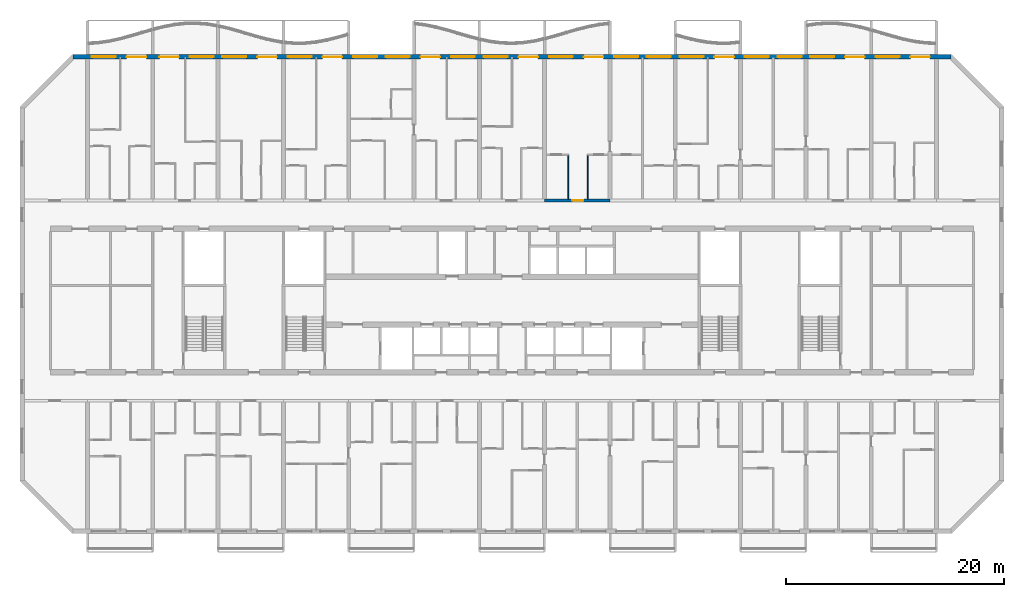
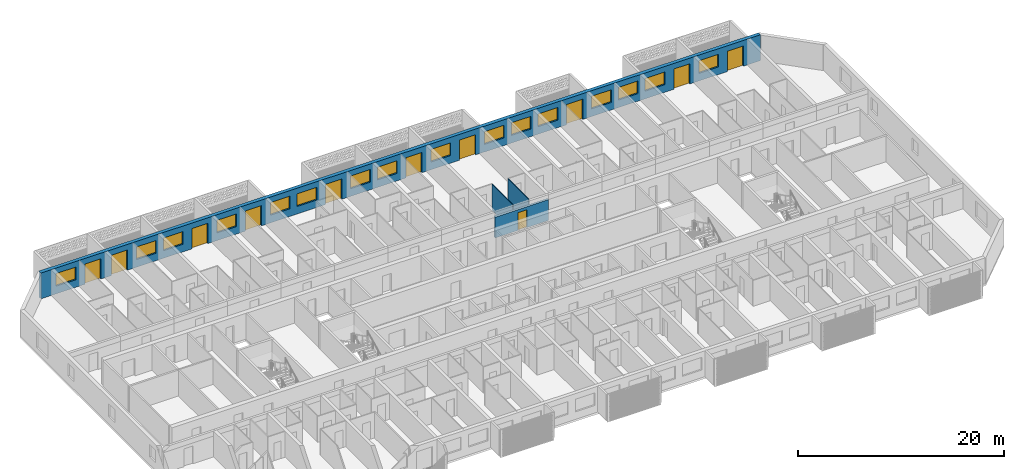
# One storey, part 12 of 27: 16 windows, 11 doors, 4 walls, 27 openings.
"""IFC4 building model written with IfcOpenShell, lengths in metres."""

from ifc_helpers import new_model, si_unit, direction, frame, frame_2d, origin, place, context, subcontext, project, spatial, rectangle, extrude, material, layer, layer_set, type_object, element, fill, save


model = new_model("IFC4")

# Units and contexts
model_context = context("Model", 3, precision=1e-05, world=origin(), true_north=direction((0.0, 1.0)))
body_context = subcontext(model_context, "Body", "Model", "MODEL_VIEW")
ifc_project = project(units=[si_unit("LENGTHUNIT", "METRE"), si_unit("AREAUNIT", "SQUARE_METRE"), si_unit("VOLUMEUNIT", "CUBIC_METRE"), si_unit("PLANEANGLEUNIT", "RADIAN"), si_unit("MASSUNIT", "GRAM", prefix="KILO")], contexts=[model_context])

# Site, building, storey
site_placement = place(None, origin())
site = spatial("IfcSite", under=ifc_project, at=site_placement, CompositionType="ELEMENT")
building_placement = place(site_placement, origin())
building = spatial("IfcBuilding", under=site, at=building_placement, Name="Poui Terraces", CompositionType="ELEMENT")
storey_placement = place(building_placement, frame((0.0, 0.0, 76.199951171875)))
storey = spatial("IfcBuildingStorey", under=building, at=storey_placement, Name="L20", CompositionType="ELEMENT", Elevation=76.199951171875)

# Wall, opening, door
ifc_material_1 = material(Name="Concrete 65 MPa", Category="concrete")
ifc_layer_1 = layer(ifc_material_1, 0.25)
ifc_layer_set_1 = layer_set([ifc_layer_1], Name="Concrete 65 MPa")
wall_type_1 = type_object("IfcWallType", Name="CORRIDOR WALL 250 65MPa", PredefinedType="SHEAR", material=ifc_layer_set_1)
wall_1_placement = place(storey_placement, frame((54.0, 30.39990234375, 0.0), z_axis=(0.0, 0.0, 1.0), x_axis=(1.0, 0.0, 0.0)))
wall_1 = element("IfcWall", 1, at=wall_1_placement, inside=storey, type_object=wall_type_1, Name="CORRIDOR WALL LINE E BAY 9", PredefinedType="SHEAR", context=body_context, shape_type="SweptSolid", body=[
    extrude(rectangle(XDim=6.0, YDim=0.25, at=frame_2d((3.0, 0.0))), origin(), (0.0, 0.0, 1.0), 2.4599609375),
])
opening_1_placement = place(wall_1_placement, frame((2.550048828125, 0.0, 0.0)))
opening_1 = element("IfcOpeningElement", 2, at=opening_1_placement, cuts=wall_1, Name="Opening FD30S", PredefinedType="OPENING", context=body_context, shape_type="SweptSolid", body=[
    extrude(rectangle(XDim=1.0, YDim=2.10009765625, at=frame_2d((0.5, 1.050048828125))), frame((0.0, 0.135009765625, 0.0), z_axis=(0.0, -1.0, 0.0), x_axis=(1.0, 0.0, 0.0)), (0.0, 0.0, 1.0), 0.27001953125),
])
ifc_material_2 = material(Name="Steel fire door", Category="steel")
door_type_1 = type_object("IfcDoorType", Name="FLAT ENTRANCE DOOR 1000 X 2100", OperationType="NOTDEFINED", PredefinedType="DOOR", material=ifc_material_2)
door_1_placement = place(opening_1_placement, origin())
door_1 = element("IfcDoor", 3, at=door_1_placement, inside=storey, type_object=door_type_1, Name="FLAT ENTRANCE DOOR 063", OperationType="SINGLE_SWING_RIGHT", OverallHeight=2.10009765625, OverallWidth=1.0, PredefinedType="DOOR", context=body_context, shape_type="SweptSolid", body=[
    extrude(rectangle(XDim=1.0, YDim=2.10009765625, at=frame_2d((0.5, 1.050048828125))), frame((0.0, 0.02490234375, 0.0), z_axis=(0.0, -1.0, 0.0), x_axis=(1.0, 0.0, 0.0)), (0.0, 0.0, 1.0), 0.050048828125),
])
fill(opening_1, door_1)

# Wall, openings, doors, windows
ifc_material_3 = material(Name="Precast concrete 40 MPa", Category="concrete")
ifc_layer_2 = layer(ifc_material_3, 0.39990234375)
ifc_layer_set_2 = layer_set([ifc_layer_2], Name="Precast concrete 40 MPa")
wall_type_2 = type_object("IfcWallType", Name="EXTERNAL WALL 400", PredefinedType="STANDARD", material=ifc_layer_set_2)
wall_2_placement = place(storey_placement, frame((91.317138671875, 43.60009765625, 0.0), z_axis=(0.0, 0.0, 1.0), x_axis=(-1.0, 0.0, 0.0)))
wall_2 = element("IfcWall", 4, at=wall_2_placement, inside=storey, type_object=wall_type_2, Name="EXTERNAL WALL N", PredefinedType="STANDARD", context=body_context, shape_type="SweptSolid", body=[
    extrude(rectangle(XDim=80.63427734375, YDim=0.39990234375, at=frame_2d((40.317138671875, 0.0))), origin(), (0.0, 0.0, 1.0), 3.06005859375),
])
opening_2_placement = place(wall_2_placement, frame((76.71728515625, 0.0, 0.89990234375)))
opening_2 = element("IfcOpeningElement", 5, at=opening_2_placement, cuts=wall_2, Name="Opening W1", PredefinedType="OPENING", context=body_context, shape_type="SweptSolid", body=[
    extrude(rectangle(XDim=2.199951171875, YDim=1.5, at=frame_2d((1.10009765625, 0.75))), frame((0.0, 0.2099609375, 0.0), z_axis=(0.0, -1.0, 0.0), x_axis=(1.0, 0.0, 0.0)), (0.0, 0.0, 1.0), 0.419921875),
])
opening_3_placement = place(wall_2_placement, frame((73.917236328125, 0.0, 0.0)))
opening_3 = element("IfcOpeningElement", 6, at=opening_3_placement, cuts=wall_2, Name="Opening BD1", PredefinedType="OPENING", context=body_context, shape_type="SweptSolid", body=[
    extrude(rectangle(XDim=1.800048828125, YDim=2.39990234375, at=frame_2d((0.89990234375, 1.199951171875))), frame((0.0, 0.2099609375, 0.0), z_axis=(0.0, -1.0, 0.0), x_axis=(1.0, 0.0, 0.0)), (0.0, 0.0, 1.0), 0.419921875),
])
opening_4_placement = place(wall_2_placement, frame((70.917236328125, 0.0, 0.0)))
opening_4 = element("IfcOpeningElement", 7, at=opening_4_placement, cuts=wall_2, Name="Opening BD1", PredefinedType="OPENING", context=body_context, shape_type="SweptSolid", body=[
    extrude(rectangle(XDim=1.800048828125, YDim=2.39990234375, at=frame_2d((0.89990234375, 1.199951171875))), frame((0.0, 0.2099609375, 0.0), z_axis=(0.0, -1.0, 0.0), x_axis=(1.0, 0.0, 0.0)), (0.0, 0.0, 1.0), 0.419921875),
])
opening_5_placement = place(wall_2_placement, frame((67.71728515625, 0.0, 0.89990234375)))
opening_5 = element("IfcOpeningElement", 8, at=opening_5_placement, cuts=wall_2, Name="Opening W1", PredefinedType="OPENING", context=body_context, shape_type="SweptSolid", body=[
    extrude(rectangle(XDim=2.199951171875, YDim=1.5, at=frame_2d((1.10009765625, 0.75))), frame((0.0, 0.2099609375, 0.0), z_axis=(0.0, -1.0, 0.0), x_axis=(1.0, 0.0, 0.0)), (0.0, 0.0, 1.0), 0.419921875),
])
opening_6_placement = place(wall_2_placement, frame((64.71728515625, 0.0, 0.89990234375)))
opening_6 = element("IfcOpeningElement", 9, at=opening_6_placement, cuts=wall_2, Name="Opening W1", PredefinedType="OPENING", context=body_context, shape_type="SweptSolid", body=[
    extrude(rectangle(XDim=2.199951171875, YDim=1.5, at=frame_2d((1.10009765625, 0.75))), frame((0.0, 0.2099609375, 0.0), z_axis=(0.0, -1.0, 0.0), x_axis=(1.0, 0.0, 0.0)), (0.0, 0.0, 1.0), 0.419921875),
])
opening_7_placement = place(wall_2_placement, frame((61.917236328125, 0.0, 0.0)))
opening_7 = element("IfcOpeningElement", 10, at=opening_7_placement, cuts=wall_2, Name="Opening BD1", PredefinedType="OPENING", context=body_context, shape_type="SweptSolid", body=[
    extrude(rectangle(XDim=1.800048828125, YDim=2.39990234375, at=frame_2d((0.89990234375, 1.199951171875))), frame((0.0, 0.2099609375, 0.0), z_axis=(0.0, -1.0, 0.0), x_axis=(1.0, 0.0, 0.0)), (0.0, 0.0, 1.0), 0.419921875),
])
opening_8_placement = place(wall_2_placement, frame((58.71728515625, 0.0, 0.89990234375)))
opening_8 = element("IfcOpeningElement", 11, at=opening_8_placement, cuts=wall_2, Name="Opening W1", PredefinedType="OPENING", context=body_context, shape_type="SweptSolid", body=[
    extrude(rectangle(XDim=2.199951171875, YDim=1.5, at=frame_2d((1.10009765625, 0.75))), frame((0.0, 0.2099609375, 0.0), z_axis=(0.0, -1.0, 0.0), x_axis=(1.0, 0.0, 0.0)), (0.0, 0.0, 1.0), 0.419921875),
])
opening_9_placement = place(wall_2_placement, frame((55.917236328125, 0.0, 0.0)))
opening_9 = element("IfcOpeningElement", 12, at=opening_9_placement, cuts=wall_2, Name="Opening BD1", PredefinedType="OPENING", context=body_context, shape_type="SweptSolid", body=[
    extrude(rectangle(XDim=1.800048828125, YDim=2.39990234375, at=frame_2d((0.89990234375, 1.199951171875))), frame((0.0, 0.2099609375, 0.0), z_axis=(0.0, -1.0, 0.0), x_axis=(1.0, 0.0, 0.0)), (0.0, 0.0, 1.0), 0.419921875),
])
opening_10_placement = place(wall_2_placement, frame((52.71728515625, 0.0, 0.89990234375)))
opening_10 = element("IfcOpeningElement", 13, at=opening_10_placement, cuts=wall_2, Name="Opening W1", PredefinedType="OPENING", context=body_context, shape_type="SweptSolid", body=[
    extrude(rectangle(XDim=2.199951171875, YDim=1.5, at=frame_2d((1.10009765625, 0.75))), frame((0.0, 0.2099609375, 0.0), z_axis=(0.0, -1.0, 0.0), x_axis=(1.0, 0.0, 0.0)), (0.0, 0.0, 1.0), 0.419921875),
])
opening_11_placement = place(wall_2_placement, frame((49.71728515625, 0.0, 0.89990234375)))
opening_11 = element("IfcOpeningElement", 14, at=opening_11_placement, cuts=wall_2, Name="Opening W1", PredefinedType="OPENING", context=body_context, shape_type="SweptSolid", body=[
    extrude(rectangle(XDim=2.199951171875, YDim=1.5, at=frame_2d((1.10009765625, 0.75))), frame((0.0, 0.2099609375, 0.0), z_axis=(0.0, -1.0, 0.0), x_axis=(1.0, 0.0, 0.0)), (0.0, 0.0, 1.0), 0.419921875),
])
opening_12_placement = place(wall_2_placement, frame((46.917236328125, 0.0, 0.0)))
opening_12 = element("IfcOpeningElement", 15, at=opening_12_placement, cuts=wall_2, Name="Opening BD1", PredefinedType="OPENING", context=body_context, shape_type="SweptSolid", body=[
    extrude(rectangle(XDim=1.800048828125, YDim=2.39990234375, at=frame_2d((0.89990234375, 1.199951171875))), frame((0.0, 0.2099609375, 0.0), z_axis=(0.0, -1.0, 0.0), x_axis=(1.0, 0.0, 0.0)), (0.0, 0.0, 1.0), 0.419921875),
])
opening_13_placement = place(wall_2_placement, frame((43.71728515625, 0.0, 0.89990234375)))
opening_13 = element("IfcOpeningElement", 16, at=opening_13_placement, cuts=wall_2, Name="Opening W1", PredefinedType="OPENING", context=body_context, shape_type="SweptSolid", body=[
    extrude(rectangle(XDim=2.199951171875, YDim=1.5, at=frame_2d((1.10009765625, 0.75))), frame((0.0, 0.2099609375, 0.0), z_axis=(0.0, -1.0, 0.0), x_axis=(1.0, 0.0, 0.0)), (0.0, 0.0, 1.0), 0.419921875),
])
opening_14_placement = place(wall_2_placement, frame((40.71728515625, 0.0, 0.89990234375)))
opening_14 = element("IfcOpeningElement", 17, at=opening_14_placement, cuts=wall_2, Name="Opening W1", PredefinedType="OPENING", context=body_context, shape_type="SweptSolid", body=[
    extrude(rectangle(XDim=2.199951171875, YDim=1.5, at=frame_2d((1.10009765625, 0.75))), frame((0.0, 0.2099609375, 0.0), z_axis=(0.0, -1.0, 0.0), x_axis=(1.0, 0.0, 0.0)), (0.0, 0.0, 1.0), 0.419921875),
])
opening_15_placement = place(wall_2_placement, frame((37.917236328125, 0.0, 0.0)))
opening_15 = element("IfcOpeningElement", 18, at=opening_15_placement, cuts=wall_2, Name="Opening BD1", PredefinedType="OPENING", context=body_context, shape_type="SweptSolid", body=[
    extrude(rectangle(XDim=1.800048828125, YDim=2.39990234375, at=frame_2d((0.89990234375, 1.199951171875))), frame((0.0, 0.2099609375, 0.0), z_axis=(0.0, -1.0, 0.0), x_axis=(1.0, 0.0, 0.0)), (0.0, 0.0, 1.0), 0.419921875),
])
opening_16_placement = place(wall_2_placement, frame((34.71728515625, 0.0, 0.89990234375)))
opening_16 = element("IfcOpeningElement", 19, at=opening_16_placement, cuts=wall_2, Name="Opening W1", PredefinedType="OPENING", context=body_context, shape_type="SweptSolid", body=[
    extrude(rectangle(XDim=2.199951171875, YDim=1.5, at=frame_2d((1.10009765625, 0.75))), frame((0.0, 0.2099609375, 0.0), z_axis=(0.0, -1.0, 0.0), x_axis=(1.0, 0.0, 0.0)), (0.0, 0.0, 1.0), 0.419921875),
])
opening_17_placement = place(wall_2_placement, frame((31.917236328125, 0.0, 0.0)))
opening_17 = element("IfcOpeningElement", 20, at=opening_17_placement, cuts=wall_2, Name="Opening BD1", PredefinedType="OPENING", context=body_context, shape_type="SweptSolid", body=[
    extrude(rectangle(XDim=1.800048828125, YDim=2.39990234375, at=frame_2d((0.89990234375, 1.199951171875))), frame((0.0, 0.2099609375, 0.0), z_axis=(0.0, -1.0, 0.0), x_axis=(1.0, 0.0, 0.0)), (0.0, 0.0, 1.0), 0.419921875),
])
opening_18_placement = place(wall_2_placement, frame((28.71728515625, 0.0, 0.89990234375)))
opening_18 = element("IfcOpeningElement", 21, at=opening_18_placement, cuts=wall_2, Name="Opening W1", PredefinedType="OPENING", context=body_context, shape_type="SweptSolid", body=[
    extrude(rectangle(XDim=2.199951171875, YDim=1.5, at=frame_2d((1.10009765625, 0.75))), frame((0.0, 0.2099609375, 0.0), z_axis=(0.0, -1.0, 0.0), x_axis=(1.0, 0.0, 0.0)), (0.0, 0.0, 1.0), 0.419921875),
])
opening_19_placement = place(wall_2_placement, frame((25.71728515625, 0.0, 0.89990234375)))
opening_19 = element("IfcOpeningElement", 22, at=opening_19_placement, cuts=wall_2, Name="Opening W1", PredefinedType="OPENING", context=body_context, shape_type="SweptSolid", body=[
    extrude(rectangle(XDim=2.199951171875, YDim=1.5, at=frame_2d((1.10009765625, 0.75))), frame((0.0, 0.2099609375, 0.0), z_axis=(0.0, -1.0, 0.0), x_axis=(1.0, 0.0, 0.0)), (0.0, 0.0, 1.0), 0.419921875),
])
opening_20_placement = place(wall_2_placement, frame((22.71728515625, 0.0, 0.89990234375)))
opening_20 = element("IfcOpeningElement", 23, at=opening_20_placement, cuts=wall_2, Name="Opening W1", PredefinedType="OPENING", context=body_context, shape_type="SweptSolid", body=[
    extrude(rectangle(XDim=2.199951171875, YDim=1.5, at=frame_2d((1.10009765625, 0.75))), frame((0.0, 0.2099609375, 0.0), z_axis=(0.0, -1.0, 0.0), x_axis=(1.0, 0.0, 0.0)), (0.0, 0.0, 1.0), 0.419921875),
])
opening_21_placement = place(wall_2_placement, frame((19.917236328125, 0.0, 0.0)))
opening_21 = element("IfcOpeningElement", 24, at=opening_21_placement, cuts=wall_2, Name="Opening BD1", PredefinedType="OPENING", context=body_context, shape_type="SweptSolid", body=[
    extrude(rectangle(XDim=1.800048828125, YDim=2.39990234375, at=frame_2d((0.89990234375, 1.199951171875))), frame((0.0, 0.2099609375, 0.0), z_axis=(0.0, -1.0, 0.0), x_axis=(1.0, 0.0, 0.0)), (0.0, 0.0, 1.0), 0.419921875),
])
opening_22_placement = place(wall_2_placement, frame((16.71728515625, 0.0, 0.89990234375)))
opening_22 = element("IfcOpeningElement", 25, at=opening_22_placement, cuts=wall_2, Name="Opening W1", PredefinedType="OPENING", context=body_context, shape_type="SweptSolid", body=[
    extrude(rectangle(XDim=2.199951171875, YDim=1.5, at=frame_2d((1.10009765625, 0.75))), frame((0.0, 0.2099609375, 0.0), z_axis=(0.0, -1.0, 0.0), x_axis=(1.0, 0.0, 0.0)), (0.0, 0.0, 1.0), 0.419921875),
])
opening_23_placement = place(wall_2_placement, frame((13.71728515625, 0.0, 0.89990234375)))
opening_23 = element("IfcOpeningElement", 26, at=opening_23_placement, cuts=wall_2, Name="Opening W1", PredefinedType="OPENING", context=body_context, shape_type="SweptSolid", body=[
    extrude(rectangle(XDim=2.199951171875, YDim=1.5, at=frame_2d((1.10009765625, 0.75))), frame((0.0, 0.2099609375, 0.0), z_axis=(0.0, -1.0, 0.0), x_axis=(1.0, 0.0, 0.0)), (0.0, 0.0, 1.0), 0.419921875),
])
opening_24_placement = place(wall_2_placement, frame((10.71728515625, 0.0, 0.89990234375)))
opening_24 = element("IfcOpeningElement", 27, at=opening_24_placement, cuts=wall_2, Name="Opening W1", PredefinedType="OPENING", context=body_context, shape_type="SweptSolid", body=[
    extrude(rectangle(XDim=2.199951171875, YDim=1.5, at=frame_2d((1.10009765625, 0.75))), frame((0.0, 0.2099609375, 0.0), z_axis=(0.0, -1.0, 0.0), x_axis=(1.0, 0.0, 0.0)), (0.0, 0.0, 1.0), 0.419921875),
])
opening_25_placement = place(wall_2_placement, frame((7.917236328125, 0.0, 0.0)))
opening_25 = element("IfcOpeningElement", 28, at=opening_25_placement, cuts=wall_2, Name="Opening BD1", PredefinedType="OPENING", context=body_context, shape_type="SweptSolid", body=[
    extrude(rectangle(XDim=1.800048828125, YDim=2.39990234375, at=frame_2d((0.89990234375, 1.199951171875))), frame((0.0, 0.2099609375, 0.0), z_axis=(0.0, -1.0, 0.0), x_axis=(1.0, 0.0, 0.0)), (0.0, 0.0, 1.0), 0.419921875),
])
opening_26_placement = place(wall_2_placement, frame((4.71728515625, 0.0, 0.89990234375)))
opening_26 = element("IfcOpeningElement", 29, at=opening_26_placement, cuts=wall_2, Name="Opening W1", PredefinedType="OPENING", context=body_context, shape_type="SweptSolid", body=[
    extrude(rectangle(XDim=2.199951171875, YDim=1.5, at=frame_2d((1.10009765625, 0.75))), frame((0.0, 0.2099609375, 0.0), z_axis=(0.0, -1.0, 0.0), x_axis=(1.0, 0.0, 0.0)), (0.0, 0.0, 1.0), 0.419921875),
])
opening_27_placement = place(wall_2_placement, frame((1.917236328125, 0.0, 0.0)))
opening_27 = element("IfcOpeningElement", 30, at=opening_27_placement, cuts=wall_2, Name="Opening BD1", PredefinedType="OPENING", context=body_context, shape_type="SweptSolid", body=[
    extrude(rectangle(XDim=1.800048828125, YDim=2.39990234375, at=frame_2d((0.89990234375, 1.199951171875))), frame((0.0, 0.2099609375, 0.0), z_axis=(0.0, -1.0, 0.0), x_axis=(1.0, 0.0, 0.0)), (0.0, 0.0, 1.0), 0.419921875),
])
ifc_material_4 = material(Name="Clear glass in aluminium frame", Category="aluminium")
door_type_2 = type_object("IfcDoorType", Name="BALCONY DOOR 1800X2400", OperationType="DOUBLE_DOOR_SLIDING", PredefinedType="DOOR", material=ifc_material_4)
door_2_placement = place(opening_3_placement, origin())
door_2 = element("IfcDoor", 31, at=door_2_placement, inside=storey, type_object=door_type_2, Name="BD1 BALCONY DOOR", OperationType="DOUBLE_DOOR_SLIDING", OverallHeight=2.39990234375, OverallWidth=1.800048828125, PredefinedType="DOOR", context=body_context, shape_type="SweptSolid", body=[
    extrude(rectangle(XDim=1.800048828125, YDim=2.39990234375, at=frame_2d((0.89990234375, 1.199951171875))), frame((0.0, 0.02490234375, 0.0), z_axis=(0.0, -1.0, 0.0), x_axis=(1.0, 0.0, 0.0)), (0.0, 0.0, 1.0), 0.050048828125),
])
fill(opening_3, door_2)
door_3_placement = place(opening_4_placement, origin())
door_3 = element("IfcDoor", 32, at=door_3_placement, inside=storey, type_object=door_type_2, Name="BD1 BALCONY DOOR", OperationType="DOUBLE_DOOR_SLIDING", OverallHeight=2.39990234375, OverallWidth=1.800048828125, PredefinedType="DOOR", context=body_context, shape_type="SweptSolid", body=[
    extrude(rectangle(XDim=1.800048828125, YDim=2.39990234375, at=frame_2d((0.89990234375, 1.199951171875))), frame((0.0, 0.02490234375, 0.0), z_axis=(0.0, -1.0, 0.0), x_axis=(1.0, 0.0, 0.0)), (0.0, 0.0, 1.0), 0.050048828125),
])
fill(opening_4, door_3)
door_4_placement = place(opening_7_placement, origin())
door_4 = element("IfcDoor", 33, at=door_4_placement, inside=storey, type_object=door_type_2, Name="BD1 BALCONY DOOR", OperationType="DOUBLE_DOOR_SLIDING", OverallHeight=2.39990234375, OverallWidth=1.800048828125, PredefinedType="DOOR", context=body_context, shape_type="SweptSolid", body=[
    extrude(rectangle(XDim=1.800048828125, YDim=2.39990234375, at=frame_2d((0.89990234375, 1.199951171875))), frame((0.0, 0.02490234375, 0.0), z_axis=(0.0, -1.0, 0.0), x_axis=(1.0, 0.0, 0.0)), (0.0, 0.0, 1.0), 0.050048828125),
])
fill(opening_7, door_4)
door_5_placement = place(opening_9_placement, origin())
door_5 = element("IfcDoor", 34, at=door_5_placement, inside=storey, type_object=door_type_2, Name="BD1 BALCONY DOOR", OperationType="DOUBLE_DOOR_SLIDING", OverallHeight=2.39990234375, OverallWidth=1.800048828125, PredefinedType="DOOR", context=body_context, shape_type="SweptSolid", body=[
    extrude(rectangle(XDim=1.800048828125, YDim=2.39990234375, at=frame_2d((0.89990234375, 1.199951171875))), frame((0.0, 0.02490234375, 0.0), z_axis=(0.0, -1.0, 0.0), x_axis=(1.0, 0.0, 0.0)), (0.0, 0.0, 1.0), 0.050048828125),
])
fill(opening_9, door_5)
door_6_placement = place(opening_12_placement, origin())
door_6 = element("IfcDoor", 35, at=door_6_placement, inside=storey, type_object=door_type_2, Name="BD1 BALCONY DOOR", OperationType="DOUBLE_DOOR_SLIDING", OverallHeight=2.39990234375, OverallWidth=1.800048828125, PredefinedType="DOOR", context=body_context, shape_type="SweptSolid", body=[
    extrude(rectangle(XDim=1.800048828125, YDim=2.39990234375, at=frame_2d((0.89990234375, 1.199951171875))), frame((0.0, 0.02490234375, 0.0), z_axis=(0.0, -1.0, 0.0), x_axis=(1.0, 0.0, 0.0)), (0.0, 0.0, 1.0), 0.050048828125),
])
fill(opening_12, door_6)
door_7_placement = place(opening_15_placement, origin())
door_7 = element("IfcDoor", 36, at=door_7_placement, inside=storey, type_object=door_type_2, Name="BD1 BALCONY DOOR", OperationType="DOUBLE_DOOR_SLIDING", OverallHeight=2.39990234375, OverallWidth=1.800048828125, PredefinedType="DOOR", context=body_context, shape_type="SweptSolid", body=[
    extrude(rectangle(XDim=1.800048828125, YDim=2.39990234375, at=frame_2d((0.89990234375, 1.199951171875))), frame((0.0, 0.02490234375, 0.0), z_axis=(0.0, -1.0, 0.0), x_axis=(1.0, 0.0, 0.0)), (0.0, 0.0, 1.0), 0.050048828125),
])
fill(opening_15, door_7)
door_8_placement = place(opening_17_placement, origin())
door_8 = element("IfcDoor", 37, at=door_8_placement, inside=storey, type_object=door_type_2, Name="BD1 BALCONY DOOR", OperationType="DOUBLE_DOOR_SLIDING", OverallHeight=2.39990234375, OverallWidth=1.800048828125, PredefinedType="DOOR", context=body_context, shape_type="SweptSolid", body=[
    extrude(rectangle(XDim=1.800048828125, YDim=2.39990234375, at=frame_2d((0.89990234375, 1.199951171875))), frame((0.0, 0.02490234375, 0.0), z_axis=(0.0, -1.0, 0.0), x_axis=(1.0, 0.0, 0.0)), (0.0, 0.0, 1.0), 0.050048828125),
])
fill(opening_17, door_8)
door_9_placement = place(opening_21_placement, origin())
door_9 = element("IfcDoor", 38, at=door_9_placement, inside=storey, type_object=door_type_2, Name="BD1 BALCONY DOOR", OperationType="DOUBLE_DOOR_SLIDING", OverallHeight=2.39990234375, OverallWidth=1.800048828125, PredefinedType="DOOR", context=body_context, shape_type="SweptSolid", body=[
    extrude(rectangle(XDim=1.800048828125, YDim=2.39990234375, at=frame_2d((0.89990234375, 1.199951171875))), frame((0.0, 0.02490234375, 0.0), z_axis=(0.0, -1.0, 0.0), x_axis=(1.0, 0.0, 0.0)), (0.0, 0.0, 1.0), 0.050048828125),
])
fill(opening_21, door_9)
door_10_placement = place(opening_25_placement, origin())
door_10 = element("IfcDoor", 39, at=door_10_placement, inside=storey, type_object=door_type_2, Name="BD1 BALCONY DOOR", OperationType="DOUBLE_DOOR_SLIDING", OverallHeight=2.39990234375, OverallWidth=1.800048828125, PredefinedType="DOOR", context=body_context, shape_type="SweptSolid", body=[
    extrude(rectangle(XDim=1.800048828125, YDim=2.39990234375, at=frame_2d((0.89990234375, 1.199951171875))), frame((0.0, 0.02490234375, 0.0), z_axis=(0.0, -1.0, 0.0), x_axis=(1.0, 0.0, 0.0)), (0.0, 0.0, 1.0), 0.050048828125),
])
fill(opening_25, door_10)
door_11_placement = place(opening_27_placement, origin())
door_11 = element("IfcDoor", 40, at=door_11_placement, inside=storey, type_object=door_type_2, Name="BD1 BALCONY DOOR", OperationType="DOUBLE_DOOR_SLIDING", OverallHeight=2.39990234375, OverallWidth=1.800048828125, PredefinedType="DOOR", context=body_context, shape_type="SweptSolid", body=[
    extrude(rectangle(XDim=1.800048828125, YDim=2.39990234375, at=frame_2d((0.89990234375, 1.199951171875))), frame((0.0, 0.02490234375, 0.0), z_axis=(0.0, -1.0, 0.0), x_axis=(1.0, 0.0, 0.0)), (0.0, 0.0, 1.0), 0.050048828125),
])
fill(opening_27, door_11)
window_type = type_object("IfcWindowType", Name="WINDOW 2200X1500", PartitioningType="DOUBLE_PANEL_HORIZONTAL", PredefinedType="WINDOW", material=ifc_material_4)
window_1_placement = place(opening_2_placement, origin())
window_1 = element("IfcWindow", 41, at=window_1_placement, inside=storey, type_object=window_type, Name="W1 WINDOW", OverallHeight=1.5, OverallWidth=2.199951171875, PartitioningType="DOUBLE_PANEL_HORIZONTAL", PredefinedType="WINDOW", context=body_context, shape_type="SweptSolid", body=[
    extrude(rectangle(XDim=2.199951171875, YDim=1.5, at=frame_2d((1.10009765625, 0.75))), frame((0.0, 0.030029296875, 0.0), z_axis=(0.0, -1.0, 0.0), x_axis=(1.0, 0.0, 0.0)), (0.0, 0.0, 1.0), 0.06005859375),
])
fill(opening_2, window_1)
window_2_placement = place(opening_5_placement, origin())
window_2 = element("IfcWindow", 42, at=window_2_placement, inside=storey, type_object=window_type, Name="W1 WINDOW", OverallHeight=1.5, OverallWidth=2.199951171875, PartitioningType="DOUBLE_PANEL_HORIZONTAL", PredefinedType="WINDOW", context=body_context, shape_type="SweptSolid", body=[
    extrude(rectangle(XDim=2.199951171875, YDim=1.5, at=frame_2d((1.10009765625, 0.75))), frame((0.0, 0.030029296875, 0.0), z_axis=(0.0, -1.0, 0.0), x_axis=(1.0, 0.0, 0.0)), (0.0, 0.0, 1.0), 0.06005859375),
])
fill(opening_5, window_2)
window_3_placement = place(opening_6_placement, origin())
window_3 = element("IfcWindow", 43, at=window_3_placement, inside=storey, type_object=window_type, Name="W1 WINDOW", OverallHeight=1.5, OverallWidth=2.199951171875, PartitioningType="DOUBLE_PANEL_HORIZONTAL", PredefinedType="WINDOW", context=body_context, shape_type="SweptSolid", body=[
    extrude(rectangle(XDim=2.199951171875, YDim=1.5, at=frame_2d((1.10009765625, 0.75))), frame((0.0, 0.030029296875, 0.0), z_axis=(0.0, -1.0, 0.0), x_axis=(1.0, 0.0, 0.0)), (0.0, 0.0, 1.0), 0.06005859375),
])
fill(opening_6, window_3)
window_4_placement = place(opening_8_placement, origin())
window_4 = element("IfcWindow", 44, at=window_4_placement, inside=storey, type_object=window_type, Name="W1 WINDOW", OverallHeight=1.5, OverallWidth=2.199951171875, PartitioningType="DOUBLE_PANEL_HORIZONTAL", PredefinedType="WINDOW", context=body_context, shape_type="SweptSolid", body=[
    extrude(rectangle(XDim=2.199951171875, YDim=1.5, at=frame_2d((1.10009765625, 0.75))), frame((0.0, 0.030029296875, 0.0), z_axis=(0.0, -1.0, 0.0), x_axis=(1.0, 0.0, 0.0)), (0.0, 0.0, 1.0), 0.06005859375),
])
fill(opening_8, window_4)
window_5_placement = place(opening_10_placement, origin())
window_5 = element("IfcWindow", 45, at=window_5_placement, inside=storey, type_object=window_type, Name="W1 WINDOW", OverallHeight=1.5, OverallWidth=2.199951171875, PartitioningType="DOUBLE_PANEL_HORIZONTAL", PredefinedType="WINDOW", context=body_context, shape_type="SweptSolid", body=[
    extrude(rectangle(XDim=2.199951171875, YDim=1.5, at=frame_2d((1.10009765625, 0.75))), frame((0.0, 0.030029296875, 0.0), z_axis=(0.0, -1.0, 0.0), x_axis=(1.0, 0.0, 0.0)), (0.0, 0.0, 1.0), 0.06005859375),
])
fill(opening_10, window_5)
window_6_placement = place(opening_11_placement, origin())
window_6 = element("IfcWindow", 46, at=window_6_placement, inside=storey, type_object=window_type, Name="W1 WINDOW", OverallHeight=1.5, OverallWidth=2.199951171875, PartitioningType="DOUBLE_PANEL_HORIZONTAL", PredefinedType="WINDOW", context=body_context, shape_type="SweptSolid", body=[
    extrude(rectangle(XDim=2.199951171875, YDim=1.5, at=frame_2d((1.10009765625, 0.75))), frame((0.0, 0.030029296875, 0.0), z_axis=(0.0, -1.0, 0.0), x_axis=(1.0, 0.0, 0.0)), (0.0, 0.0, 1.0), 0.06005859375),
])
fill(opening_11, window_6)
window_7_placement = place(opening_13_placement, origin())
window_7 = element("IfcWindow", 47, at=window_7_placement, inside=storey, type_object=window_type, Name="W1 WINDOW", OverallHeight=1.5, OverallWidth=2.199951171875, PartitioningType="DOUBLE_PANEL_HORIZONTAL", PredefinedType="WINDOW", context=body_context, shape_type="SweptSolid", body=[
    extrude(rectangle(XDim=2.199951171875, YDim=1.5, at=frame_2d((1.10009765625, 0.75))), frame((0.0, 0.030029296875, 0.0), z_axis=(0.0, -1.0, 0.0), x_axis=(1.0, 0.0, 0.0)), (0.0, 0.0, 1.0), 0.06005859375),
])
fill(opening_13, window_7)
window_8_placement = place(opening_14_placement, origin())
window_8 = element("IfcWindow", 48, at=window_8_placement, inside=storey, type_object=window_type, Name="W1 WINDOW", OverallHeight=1.5, OverallWidth=2.199951171875, PartitioningType="DOUBLE_PANEL_HORIZONTAL", PredefinedType="WINDOW", context=body_context, shape_type="SweptSolid", body=[
    extrude(rectangle(XDim=2.199951171875, YDim=1.5, at=frame_2d((1.10009765625, 0.75))), frame((0.0, 0.030029296875, 0.0), z_axis=(0.0, -1.0, 0.0), x_axis=(1.0, 0.0, 0.0)), (0.0, 0.0, 1.0), 0.06005859375),
])
fill(opening_14, window_8)
window_9_placement = place(opening_16_placement, origin())
window_9 = element("IfcWindow", 49, at=window_9_placement, inside=storey, type_object=window_type, Name="W1 WINDOW", OverallHeight=1.5, OverallWidth=2.199951171875, PartitioningType="DOUBLE_PANEL_HORIZONTAL", PredefinedType="WINDOW", context=body_context, shape_type="SweptSolid", body=[
    extrude(rectangle(XDim=2.199951171875, YDim=1.5, at=frame_2d((1.10009765625, 0.75))), frame((0.0, 0.030029296875, 0.0), z_axis=(0.0, -1.0, 0.0), x_axis=(1.0, 0.0, 0.0)), (0.0, 0.0, 1.0), 0.06005859375),
])
fill(opening_16, window_9)
window_10_placement = place(opening_18_placement, origin())
window_10 = element("IfcWindow", 50, at=window_10_placement, inside=storey, type_object=window_type, Name="W1 WINDOW", OverallHeight=1.5, OverallWidth=2.199951171875, PartitioningType="DOUBLE_PANEL_HORIZONTAL", PredefinedType="WINDOW", context=body_context, shape_type="SweptSolid", body=[
    extrude(rectangle(XDim=2.199951171875, YDim=1.5, at=frame_2d((1.10009765625, 0.75))), frame((0.0, 0.030029296875, 0.0), z_axis=(0.0, -1.0, 0.0), x_axis=(1.0, 0.0, 0.0)), (0.0, 0.0, 1.0), 0.06005859375),
])
fill(opening_18, window_10)
window_11_placement = place(opening_19_placement, origin())
window_11 = element("IfcWindow", 51, at=window_11_placement, inside=storey, type_object=window_type, Name="W1 WINDOW", OverallHeight=1.5, OverallWidth=2.199951171875, PartitioningType="DOUBLE_PANEL_HORIZONTAL", PredefinedType="WINDOW", context=body_context, shape_type="SweptSolid", body=[
    extrude(rectangle(XDim=2.199951171875, YDim=1.5, at=frame_2d((1.10009765625, 0.75))), frame((0.0, 0.030029296875, 0.0), z_axis=(0.0, -1.0, 0.0), x_axis=(1.0, 0.0, 0.0)), (0.0, 0.0, 1.0), 0.06005859375),
])
fill(opening_19, window_11)
window_12_placement = place(opening_20_placement, origin())
window_12 = element("IfcWindow", 52, at=window_12_placement, inside=storey, type_object=window_type, Name="W1 WINDOW", OverallHeight=1.5, OverallWidth=2.199951171875, PartitioningType="DOUBLE_PANEL_HORIZONTAL", PredefinedType="WINDOW", context=body_context, shape_type="SweptSolid", body=[
    extrude(rectangle(XDim=2.199951171875, YDim=1.5, at=frame_2d((1.10009765625, 0.75))), frame((0.0, 0.030029296875, 0.0), z_axis=(0.0, -1.0, 0.0), x_axis=(1.0, 0.0, 0.0)), (0.0, 0.0, 1.0), 0.06005859375),
])
fill(opening_20, window_12)
window_13_placement = place(opening_22_placement, origin())
window_13 = element("IfcWindow", 53, at=window_13_placement, inside=storey, type_object=window_type, Name="W1 WINDOW", OverallHeight=1.5, OverallWidth=2.199951171875, PartitioningType="DOUBLE_PANEL_HORIZONTAL", PredefinedType="WINDOW", context=body_context, shape_type="SweptSolid", body=[
    extrude(rectangle(XDim=2.199951171875, YDim=1.5, at=frame_2d((1.10009765625, 0.75))), frame((0.0, 0.030029296875, 0.0), z_axis=(0.0, -1.0, 0.0), x_axis=(1.0, 0.0, 0.0)), (0.0, 0.0, 1.0), 0.06005859375),
])
fill(opening_22, window_13)
window_14_placement = place(opening_23_placement, origin())
window_14 = element("IfcWindow", 54, at=window_14_placement, inside=storey, type_object=window_type, Name="W1 WINDOW", OverallHeight=1.5, OverallWidth=2.199951171875, PartitioningType="DOUBLE_PANEL_HORIZONTAL", PredefinedType="WINDOW", context=body_context, shape_type="SweptSolid", body=[
    extrude(rectangle(XDim=2.199951171875, YDim=1.5, at=frame_2d((1.10009765625, 0.75))), frame((0.0, 0.030029296875, 0.0), z_axis=(0.0, -1.0, 0.0), x_axis=(1.0, 0.0, 0.0)), (0.0, 0.0, 1.0), 0.06005859375),
])
fill(opening_23, window_14)
window_15_placement = place(opening_24_placement, origin())
window_15 = element("IfcWindow", 55, at=window_15_placement, inside=storey, type_object=window_type, Name="W1 WINDOW", OverallHeight=1.5, OverallWidth=2.199951171875, PartitioningType="DOUBLE_PANEL_HORIZONTAL", PredefinedType="WINDOW", context=body_context, shape_type="SweptSolid", body=[
    extrude(rectangle(XDim=2.199951171875, YDim=1.5, at=frame_2d((1.10009765625, 0.75))), frame((0.0, 0.030029296875, 0.0), z_axis=(0.0, -1.0, 0.0), x_axis=(1.0, 0.0, 0.0)), (0.0, 0.0, 1.0), 0.06005859375),
])
fill(opening_24, window_15)
window_16_placement = place(opening_26_placement, origin())
window_16 = element("IfcWindow", 56, at=window_16_placement, inside=storey, type_object=window_type, Name="W1 WINDOW", OverallHeight=1.5, OverallWidth=2.199951171875, PartitioningType="DOUBLE_PANEL_HORIZONTAL", PredefinedType="WINDOW", context=body_context, shape_type="SweptSolid", body=[
    extrude(rectangle(XDim=2.199951171875, YDim=1.5, at=frame_2d((1.10009765625, 0.75))), frame((0.0, 0.030029296875, 0.0), z_axis=(0.0, -1.0, 0.0), x_axis=(1.0, 0.0, 0.0)), (0.0, 0.0, 1.0), 0.06005859375),
])
fill(opening_26, window_16)

# Walls
ifc_material_5 = material(Name="Plasterboard partition")
ifc_layer_3 = layer(ifc_material_5, 0.10009765625)
ifc_layer_set_3 = layer_set([ifc_layer_3], Name="Plasterboard partition")
wall_type_3 = type_object("IfcWallType", Name="FLAT PARTITION 100", PredefinedType="PARTITIONING", material=ifc_layer_set_3)
for number, where, z_axis, x_axis, name in (
    (57, (56.14990234375, 30.534912109375, 0.0), (0.0, 0.0, 1.0), (0.0, 1.0, 0.0), "FLAT PARTITION 100"),
    (58, (57.949951171875, 30.534912109375, 0.0), (0.0, 0.0, 1.0), (0.0, 1.0, 0.0), "FLAT PARTITION 100"),
):
    element("IfcWall", number, at=place(storey_placement, frame(where, z_axis=z_axis, x_axis=x_axis)), inside=storey, type_object=wall_type_3, Name=name, PredefinedType="PARTITIONING", context=body_context, shape_type="SweptSolid", body=[
        extrude(rectangle(XDim=4.01513671875, YDim=0.10009765625, at=frame_2d((2.007568359375, 0.0))), origin(), (0.0, 0.0, 1.0), 3.06005859375),
    ])

save(model, "model.ifc")
